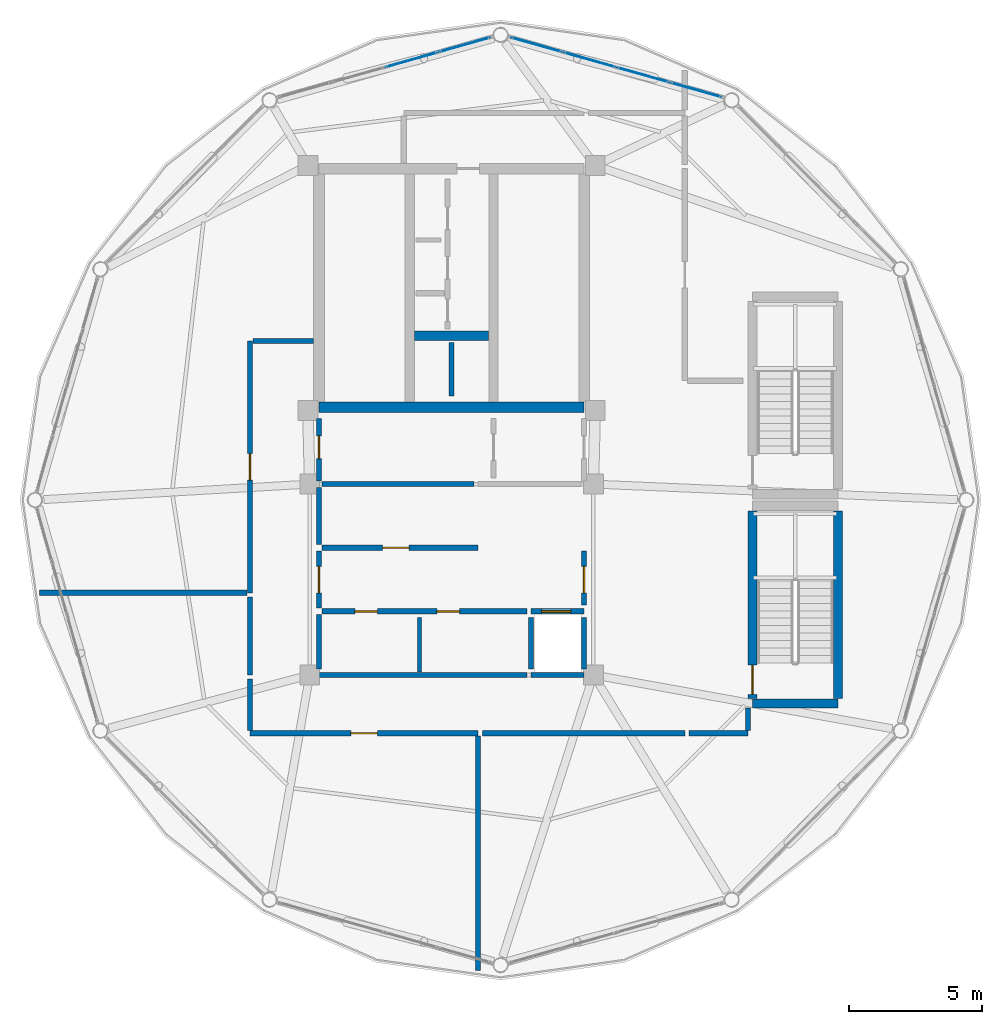
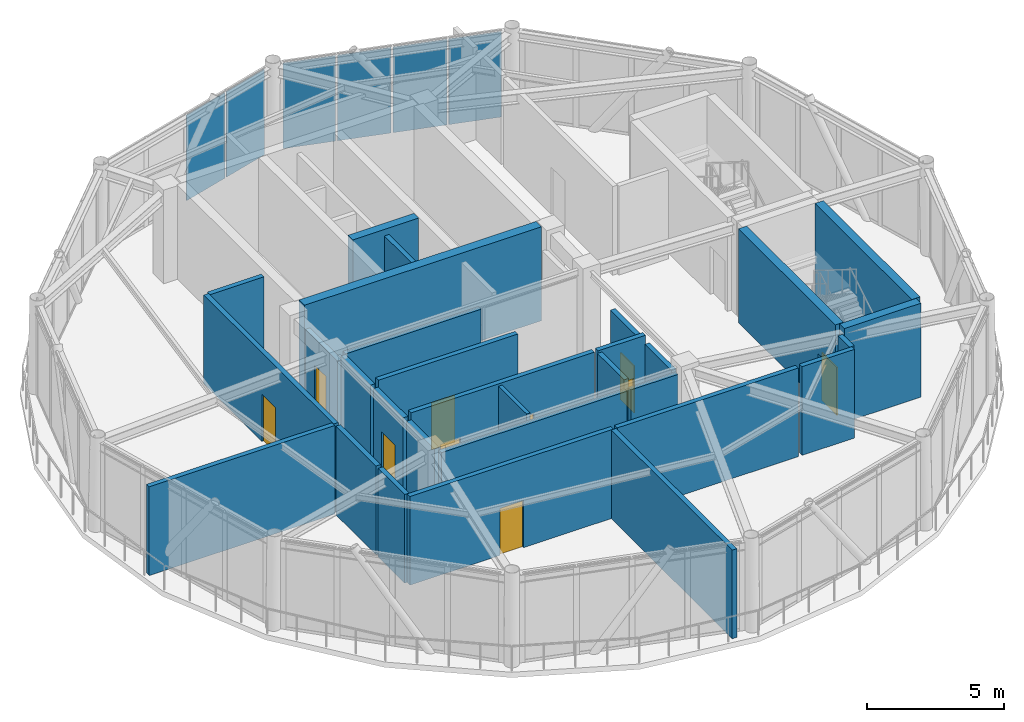
# One storey, part 17 of 21: 30 walls, 10 doors, 6 plates, 10 openings, 2 elements without a shape of their own.
"""IFC4 building model written with IfcOpenShell, lengths in metres."""

from ifc_helpers import new_model, si_unit, direction, frame, frame_2d, origin, origin_2d, place, context, subcontext, project, spatial, rectangle, extrude, source, transform, mapped, material, layer, layer_set, type_object, type_shapes, element, fill, aggregate, save


model = new_model("IFC4")

# Units and contexts
model_context = context("Model", 3, precision=1e-05, world=origin(), true_north=direction((0.0, 1.0)))
body_context = subcontext(model_context, "Body", "Model", "MODEL_VIEW")
ifc_project = project(units=[si_unit("LENGTHUNIT", "METRE"), si_unit("AREAUNIT", "SQUARE_METRE"), si_unit("VOLUMEUNIT", "CUBIC_METRE"), si_unit("PLANEANGLEUNIT", "RADIAN"), si_unit("MASSUNIT", "GRAM", prefix="KILO")], contexts=[model_context])

# Site, building, storey
site_placement = place(None, origin())
site = spatial("IfcSite", under=ifc_project, at=site_placement, CompositionType="ELEMENT")
building_placement = place(site_placement, origin())
building = spatial("IfcBuilding", under=site, at=building_placement, Name="Varnakorn Sky Granary", CompositionType="ELEMENT")
storey_placement = place(building_placement, frame((0.0, 0.0, 298.199951171875)))
storey = spatial("IfcBuildingStorey", under=building, at=storey_placement, Name="L76", CompositionType="ELEMENT", Elevation=298.199951171875)

# Curtain wall, plates
ifc_material_1 = material(Name="Anodised Bronze Aluminium Alloy 6063-T6", Category="aluminium")
ifc_layer_1 = layer(ifc_material_1, 0.22998046875, Name="Anodised Bronze Aluminium Alloy 6063-T6")
ifc_layer_set_1 = layer_set([ifc_layer_1], Name="Anodised Bronze Aluminium Alloy 6063-T6")
curtain_wall_type = type_object("IfcCurtainWallType", Name="CW-LNT-1", PredefinedType="USERDEFINED", material=ifc_layer_set_1)
curtain_wall_1_placement = place(storey_placement, origin())
curtain_wall_1 = element("IfcCurtainWall", 1, at=curtain_wall_1_placement, inside=storey, type_object=curtain_wall_type, Name="Unitised Curtain Wall CW7 CW-L76-B03", ObjectType="CURTAIN WALL", PredefinedType="USERDEFINED")
ifc_material_2 = material(Name="Low-E Tinted Laminated Glass", Category="glass")
ifc_layer_2 = layer(ifc_material_2, 0.035888671875, Name="Low-E Tinted Laminated Glass")
ifc_layer_set_2 = layer_set([ifc_layer_2], Name="Low-E Tinted Laminated Glass")
plate_type = type_object("IfcPlateType", Name="CW-LNT-1-PNL", PredefinedType="CURTAIN_PANEL")
shared_shape_1 = source(origin(), body_context, "Body", "SweptSolid", [
    extrude(rectangle(XDim=1.98388671875, YDim=0.035888671875, at=origin_2d()), origin(), (0.0, 0.0, 1.0), 3.81005859375),
])
plate_1_placement = place(storey_placement, frame((6.203369140625, 17.173828125, 0.074951171875), z_axis=(0.0, 0.0, 1.0), x_axis=(0.962189359084, -0.272381418723, 0.0)))
plate_1 = element("IfcPlate", 2, at=plate_1_placement, type_object=plate_type, material=ifc_layer_set_2, Name="CW7 vision glazing unit 1.1", PredefinedType="CURTAIN_PANEL", context=body_context, shape_type="MappedRepresentation", body=[
    mapped(shared_shape_1, transform((0.0, 0.0, 0.0), x_axis=(1.0, 0.0, 0.0), y_axis=(0.0, 1.0, 0.0), z_axis=(0.0, 0.0, 1.0), scale=1.0)),
])
plate_2_placement = place(storey_placement, frame((12.21875, 15.470947265625, 0.074951171875), z_axis=(0.0, 0.0, 1.0), x_axis=(0.962189359084, -0.272381418723, 0.0)))
plate_2 = element("IfcPlate", 3, at=plate_2_placement, type_object=plate_type, material=ifc_layer_set_2, Name="CW7 vision glazing unit 4.1", PredefinedType="CURTAIN_PANEL", context=body_context, shape_type="MappedRepresentation", body=[
    mapped(shared_shape_1, transform((0.0, 0.0, 0.0), x_axis=(1.0, 0.0, 0.0), y_axis=(0.0, 1.0, 0.0), z_axis=(0.0, 0.0, 1.0), scale=1.0)),
])

# Curtain wall, plate
curtain_wall_2_placement = place(storey_placement, origin())
curtain_wall_2 = element("IfcCurtainWall", 4, at=curtain_wall_2_placement, inside=storey, type_object=curtain_wall_type, Name="Unitised Curtain Wall CW7 CW-L76-B04", ObjectType="CURTAIN WALL", PredefinedType="USERDEFINED")
plate_3_placement = place(storey_placement, frame((3.49658203125, 17.173828125, 0.074951171875), z_axis=(0.0, 0.0, 1.0), x_axis=(0.962189359084, 0.272381418723, 0.0)))
plate_3 = element("IfcPlate", 5, at=plate_3_placement, type_object=plate_type, material=ifc_layer_set_2, Name="CW7 vision glazing unit 4.1", PredefinedType="CURTAIN_PANEL", context=body_context, shape_type="MappedRepresentation", body=[
    mapped(shared_shape_1, transform((0.0, 0.0, 0.0), x_axis=(1.0, 0.0, 0.0), y_axis=(0.0, 1.0, 0.0), z_axis=(0.0, 0.0, 1.0), scale=1.0)),
])

# Plate
ifc_material_3 = material(Name="Opaque Insulated Aluminium Shadow-Box Unit", Category="aluminium")
ifc_layer_3 = layer(ifc_material_3, 0.035888671875, Name="Opaque Insulated Aluminium Shadow-Box Unit")
ifc_layer_set_3 = layer_set([ifc_layer_3], Name="Opaque Insulated Aluminium Shadow-Box Unit")
shared_shape_2 = source(origin(), body_context, "Body", "SweptSolid", [
    extrude(rectangle(XDim=2.021484375, YDim=0.035888671875, at=origin_2d()), origin(), (0.0, 0.0, 1.0), 3.81005859375),
])
type_shapes(plate_type, [shared_shape_1, shared_shape_2])
plate_4_placement = place(storey_placement, frame((8.202392578125, 16.60791015625, 0.074951171875), z_axis=(0.0, 0.0, 1.0), x_axis=(0.962189359084, -0.272381418723, 0.0)))
plate_4 = element("IfcPlate", 6, at=plate_4_placement, type_object=plate_type, material=ifc_layer_set_3, Name="CW7 opaque insulated shadow-box unit 2.1", PredefinedType="CURTAIN_PANEL", context=body_context, shape_type="MappedRepresentation", body=[
    mapped(shared_shape_2, transform((0.0, 0.0, 0.0), x_axis=(1.0, 0.0, 0.0), y_axis=(0.0, 1.0, 0.0), z_axis=(0.0, 0.0, 1.0), scale=1.0)),
])

plate_5_placement = place(storey_placement, frame((10.219482421875, 16.036865234375, 0.074951171875), z_axis=(0.0, 0.0, 1.0), x_axis=(0.962189359084, -0.272381418723, 0.0)))
plate_5 = element("IfcPlate", 7, at=plate_5_placement, type_object=plate_type, material=ifc_layer_set_3, Name="CW7 opaque insulated shadow-box unit 3.1", PredefinedType="CURTAIN_PANEL", context=body_context, shape_type="MappedRepresentation", body=[
    mapped(shared_shape_2, transform((0.0, 0.0, 0.0), x_axis=(1.0, 0.0, 0.0), y_axis=(0.0, 1.0, 0.0), z_axis=(0.0, 0.0, 1.0), scale=1.0)),
])

aggregate(curtain_wall_1, [plate_1, plate_4, plate_5, plate_2])

plate_6_placement = place(storey_placement, frame((1.49755859375, 16.60791015625, 0.074951171875), z_axis=(0.0, 0.0, 1.0), x_axis=(0.962189359084, 0.272381418723, 0.0)))
plate_6 = element("IfcPlate", 8, at=plate_6_placement, type_object=plate_type, material=ifc_layer_set_3, Name="CW7 opaque insulated shadow-box unit 3.1", PredefinedType="CURTAIN_PANEL", context=body_context, shape_type="MappedRepresentation", body=[
    mapped(shared_shape_2, transform((0.0, 0.0, 0.0), x_axis=(1.0, 0.0, 0.0), y_axis=(0.0, 1.0, 0.0), z_axis=(0.0, 0.0, 1.0), scale=1.0)),
])

aggregate(curtain_wall_2, [plate_6, plate_3])

# Wall
ifc_material_4 = material(Name="Concrete C50/60", Category="concrete")
ifc_layer_4 = layer(ifc_material_4, 0.35009765625, Name="Concrete C50/60")
ifc_layer_set_4 = layer_set([ifc_layer_4], Name="Concrete C50/60")
wall_type_1 = type_object("IfcWallType", Name="WT-CW-INT-350", PredefinedType="SHEAR", material=ifc_layer_set_4)
wall_1_placement = place(storey_placement, frame((14.35009765625, -7.679931640625, 0.0), z_axis=(0.0, 0.0, 1.0), x_axis=(1.0, 0.0, 0.0)))
element("IfcWall", 9, at=wall_1_placement, inside=storey, type_object=wall_type_1, Name="Crown Stair STC2 South Wall L76", PredefinedType="SHEAR", context=body_context, shape_type="SweptSolid", body=[
    extrude(rectangle(XDim=3.22998046875, YDim=0.35009765625, at=frame_2d((1.614990234375, 0.0))), origin(), (0.0, 0.0, 1.0), 4.192138671875),
])

# Wall, opening, door
wall_2_placement = place(storey_placement, frame((14.35009765625, -7.489990234375, 0.0), z_axis=(0.0, 0.0, 1.0), x_axis=(0.0, 1.0, 0.0)))
wall_2 = element("IfcWall", 10, at=wall_2_placement, inside=storey, type_object=wall_type_1, Name="Crown Stair STC2 West Wall L76", PredefinedType="SHEAR", context=body_context, shape_type="SweptSolid", body=[
    extrude(rectangle(XDim=7.080078125, YDim=0.35009765625, at=frame_2d((3.5400390625, 0.0))), origin(), (0.0, 0.0, 1.0), 4.192138671875),
])
opening_1_placement = place(wall_2_placement, frame((0.159912109375, 0.0, 0.0)))
opening_1 = element("IfcOpeningElement", 11, at=opening_1_placement, cuts=wall_2, Name="Opening FD-90", PredefinedType="OPENING", context=body_context, shape_type="SweptSolid", body=[
    extrude(rectangle(XDim=1.10009765625, YDim=2.14990234375, at=frame_2d((0.550048828125, 1.074951171875))), frame((0.0, 0.18505859375, 0.0), z_axis=(0.0, -1.0, 0.0), x_axis=(1.0, 0.0, 0.0)), (0.0, 0.0, 1.0), 0.3701171875),
])
ifc_material_5 = material(Name="Galvanised Painted Steel Leaf", Category="steel")
door_type_1 = type_object("IfcDoorType", Name="DR-STAIR-1100", OperationType="NOTDEFINED", PredefinedType="DOOR", material=ifc_material_5)
door_1_placement = place(opening_1_placement, origin())
door_1 = element("IfcDoor", 12, at=door_1_placement, inside=storey, type_object=door_type_1, Name="Crown Stair STC2 Protected Fire Door L76", OperationType="SINGLE_SWING_RIGHT", OverallHeight=2.14990234375, OverallWidth=1.10009765625, PredefinedType="DOOR", context=body_context, shape_type="SweptSolid", body=[
    extrude(rectangle(XDim=1.10009765625, YDim=2.14990234375, at=frame_2d((0.550048828125, 1.074951171875))), frame((0.0, 0.02490234375, 0.0), z_axis=(0.0, -1.0, 0.0), x_axis=(1.0, 0.0, 0.0)), (0.0, 0.0, 1.0), 0.050048828125),
])
fill(opening_1, door_1)

# Walls
wall_3_placement = place(storey_placement, frame((17.580078125, -7.489990234375, 0.0), z_axis=(0.0, 0.0, 1.0), x_axis=(0.0, 1.0, 0.0)))
element("IfcWall", 13, at=wall_3_placement, inside=storey, type_object=wall_type_1, Name="Crown Stair STC2 East Wall L76", PredefinedType="SHEAR", context=body_context, shape_type="SweptSolid", body=[
    extrude(rectangle(XDim=7.080078125, YDim=0.35009765625, at=frame_2d((3.5400390625, 0.0))), origin(), (0.0, 0.0, 1.0), 4.192138671875),
])
wall_4_placement = place(storey_placement, frame((1.610107421875, 6.199951171875, 0.0), z_axis=(0.0, 0.0, 1.0), x_axis=(1.0, 0.0, 0.0)))
element("IfcWall", 14, at=wall_4_placement, inside=storey, type_object=wall_type_1, Name="Core Lift Shaft Cross Wall L76", PredefinedType="SHEAR", context=body_context, shape_type="SweptSolid", body=[
    extrude(rectangle(XDim=2.77978515625, YDim=0.35009765625, at=frame_2d((1.389892578125, 0.0))), origin(), (0.0, 0.0, 1.0), 4.192138671875),
])
ifc_layer_5 = layer(ifc_material_4, 0.39990234375, Name="Concrete C50/60")
ifc_layer_set_5 = layer_set([ifc_layer_5], Name="Concrete C50/60")
wall_type_2 = type_object("IfcWallType", Name="WT-CW-SHEAR-400", PredefinedType="SHEAR", material=ifc_layer_set_5)
wall_5_placement = place(storey_placement, frame((-2.0, 3.5, 0.0), z_axis=(0.0, 0.0, 1.0), x_axis=(1.0, 0.0, 0.0)))
element("IfcWall", 15, at=wall_5_placement, inside=storey, type_object=wall_type_2, Name="Core South Shear Wall L76", PredefinedType="SHEAR", context=body_context, shape_type="SweptSolid", body=[
    extrude(rectangle(XDim=10.0, YDim=0.39990234375, at=frame_2d((5.0, 0.0))), origin(), (0.0, 0.0, 1.0), 4.192138671875),
])

# Wall, opening, door
ifc_material_6 = material(Name="Autoclaved Aerated Concrete Blockwork", Category="masonry")
ifc_layer_6 = layer(ifc_material_6, 0.199951171875, Name="Autoclaved Aerated Concrete Blockwork")
ifc_layer_set_6 = layer_set([ifc_layer_6], Name="Autoclaved Aerated Concrete Blockwork")
wall_type_3 = type_object("IfcWallType", Name="WT-FIRE-200", PredefinedType="MOVABLE", material=ifc_layer_set_6)
wall_6_placement = place(storey_placement, frame((-2.0, 0.719970703125, 0.0), z_axis=(0.0, 0.0, 1.0), x_axis=(0.0, 1.0, 0.0)))
wall_6 = element("IfcWall", 16, at=wall_6_placement, inside=storey, type_object=wall_type_3, Name="Interior Partition Wall L76-010", PredefinedType="MOVABLE", context=body_context, shape_type="SweptSolid", body=[
    extrude(rectangle(XDim=2.35009765625, YDim=0.199951171875, at=frame_2d((1.175048828125, 0.0))), origin(), (0.0, 0.0, 1.0), 3.2919921875),
])
opening_2_placement = place(wall_6_placement, frame((0.844970703125, 0.0, 0.0)))
opening_2 = element("IfcOpeningElement", 17, at=opening_2_placement, cuts=wall_6, Name="Opening FD-60N", PredefinedType="OPENING", context=body_context, shape_type="SweptSolid", body=[
    extrude(rectangle(XDim=0.85009765625, YDim=2.10009765625, at=frame_2d((0.425048828125, 1.050048828125))), frame((0.0, 0.10986328125, 0.0), z_axis=(0.0, -1.0, 0.0), x_axis=(1.0, 0.0, 0.0)), (0.0, 0.0, 1.0), 0.219970703125),
])
ifc_material_7 = material(Name="Acoustic Timber Fire Leaf", Category="wood")
door_type_2 = type_object("IfcDoorType", Name="DR-FD60-850", OperationType="NOTDEFINED", PredefinedType="DOOR", material=ifc_material_7)
door_2_placement = place(opening_2_placement, origin())
door_2 = element("IfcDoor", 18, at=door_2_placement, inside=storey, type_object=door_type_2, Name="Interior Door L76-010-1", OperationType="SINGLE_SWING_RIGHT", OverallHeight=2.10009765625, OverallWidth=0.85009765625, PredefinedType="DOOR", context=body_context, shape_type="SweptSolid", body=[
    extrude(rectangle(XDim=0.85009765625, YDim=2.10009765625, at=frame_2d((0.425048828125, 1.050048828125))), frame((0.0, 0.02490234375, 0.0), z_axis=(0.0, -1.0, 0.0), x_axis=(1.0, 0.0, 0.0)), (0.0, 0.0, 1.0), 0.050048828125),
])
fill(opening_2, door_2)

wall_7_placement = place(storey_placement, frame((-2.0, -4.080078125, 0.0), z_axis=(0.0, 0.0, 1.0), x_axis=(0.0, 1.0, 0.0)))
wall_7 = element("IfcWall", 19, at=wall_7_placement, inside=storey, type_object=wall_type_3, Name="Interior Partition Wall L76-012", PredefinedType="MOVABLE", context=body_context, shape_type="SweptSolid", body=[
    extrude(rectangle(XDim=2.16015625, YDim=0.199951171875, at=frame_2d((1.080078125, 0.0))), origin(), (0.0, 0.0, 1.0), 3.672119140625),
])
opening_3_placement = place(wall_7_placement, frame((0.580078125, 0.0, 0.0)))
opening_3 = element("IfcOpeningElement", 20, at=opening_3_placement, cuts=wall_7, Name="Opening FD-60", PredefinedType="OPENING", context=body_context, shape_type="SweptSolid", body=[
    extrude(rectangle(XDim=1.0, YDim=2.10009765625, at=frame_2d((0.5, 1.050048828125))), frame((0.0, 0.10986328125, 0.0), z_axis=(0.0, -1.0, 0.0), x_axis=(1.0, 0.0, 0.0)), (0.0, 0.0, 1.0), 0.219970703125),
])
door_type_3 = type_object("IfcDoorType", Name="DR-FD60-1000", OperationType="NOTDEFINED", PredefinedType="DOOR", material=ifc_material_7)
door_3_placement = place(opening_3_placement, origin())
door_3 = element("IfcDoor", 21, at=door_3_placement, inside=storey, type_object=door_type_3, Name="Interior Door L76-012-1", OperationType="SINGLE_SWING_RIGHT", OverallHeight=2.10009765625, OverallWidth=1.0, PredefinedType="DOOR", context=body_context, shape_type="SweptSolid", body=[
    extrude(rectangle(XDim=1.0, YDim=2.10009765625, at=frame_2d((0.5, 1.050048828125))), frame((0.0, 0.02490234375, 0.0), z_axis=(0.0, -1.0, 0.0), x_axis=(1.0, 0.0, 0.0)), (0.0, 0.0, 1.0), 0.050048828125),
])
fill(opening_3, door_3)

wall_8_placement = place(storey_placement, frame((8.0, -3.969970703125, 0.0), z_axis=(0.0, 0.0, 1.0), x_axis=(0.0, 1.0, 0.0)))
wall_8 = element("IfcWall", 22, at=wall_8_placement, inside=storey, type_object=wall_type_3, Name="Interior Partition Wall L76-013", PredefinedType="MOVABLE", context=body_context, shape_type="SweptSolid", body=[
    extrude(rectangle(XDim=2.050048828125, YDim=0.199951171875, at=frame_2d((1.02490234375, 0.0))), origin(), (0.0, 0.0, 1.0), 3.672119140625),
])
opening_4_placement = place(wall_8_placement, frame((0.469970703125, 0.0, 0.0)))
opening_4 = element("IfcOpeningElement", 23, at=opening_4_placement, cuts=wall_8, Name="Opening FD-60", PredefinedType="OPENING", context=body_context, shape_type="SweptSolid", body=[
    extrude(rectangle(XDim=1.0, YDim=2.10009765625, at=frame_2d((0.5, 1.050048828125))), frame((0.0, 0.10986328125, 0.0), z_axis=(0.0, -1.0, 0.0), x_axis=(1.0, 0.0, 0.0)), (0.0, 0.0, 1.0), 0.219970703125),
])
door_4_placement = place(opening_4_placement, origin())
door_4 = element("IfcDoor", 24, at=door_4_placement, inside=storey, type_object=door_type_3, Name="Interior Door L76-013-1", OperationType="SINGLE_SWING_LEFT", OverallHeight=2.10009765625, OverallWidth=1.0, PredefinedType="DOOR", context=body_context, shape_type="SweptSolid", body=[
    extrude(rectangle(XDim=1.0, YDim=2.10009765625, at=frame_2d((0.5, 1.050048828125))), frame((0.0, 0.02490234375, 0.0), z_axis=(0.0, -1.0, 0.0), x_axis=(1.0, 0.0, 0.0)), (0.0, 0.0, 1.0), 0.050048828125),
])
fill(opening_4, door_4)

wall_9_placement = place(storey_placement, frame((-1.889892578125, -1.800048828125, 0.0), z_axis=(0.0, 0.0, 1.0), x_axis=(1.0, 0.0, 0.0)))
wall_9 = element("IfcWall", 25, at=wall_9_placement, inside=storey, type_object=wall_type_3, Name="Interior Partition Wall L76-014", PredefinedType="MOVABLE", context=body_context, shape_type="SweptSolid", body=[
    extrude(rectangle(XDim=5.889892578125, YDim=0.199951171875, at=frame_2d((2.94482421875, 0.0))), origin(), (0.0, 0.0, 1.0), 3.9599609375),
])
opening_5_placement = place(wall_9_placement, frame((2.2900390625, 0.0, 0.0)))
opening_5 = element("IfcOpeningElement", 26, at=opening_5_placement, cuts=wall_9, Name="Opening FD-60", PredefinedType="OPENING", context=body_context, shape_type="SweptSolid", body=[
    extrude(rectangle(XDim=1.0, YDim=2.10009765625, at=frame_2d((0.5, 1.050048828125))), frame((0.0, 0.10986328125, 0.0), z_axis=(0.0, -1.0, 0.0), x_axis=(1.0, 0.0, 0.0)), (0.0, 0.0, 1.0), 0.219970703125),
])
door_5_placement = place(opening_5_placement, origin())
door_5 = element("IfcDoor", 27, at=door_5_placement, inside=storey, type_object=door_type_3, Name="Interior Door L76-014-1", OperationType="SINGLE_SWING_RIGHT", OverallHeight=2.10009765625, OverallWidth=1.0, PredefinedType="DOOR", context=body_context, shape_type="SweptSolid", body=[
    extrude(rectangle(XDim=1.0, YDim=2.10009765625, at=frame_2d((0.5, 1.050048828125))), frame((0.0, 0.02490234375, 0.0), z_axis=(0.0, -1.0, 0.0), x_axis=(1.0, 0.0, 0.0)), (0.0, 0.0, 1.0), 0.050048828125),
])
fill(opening_5, door_5)

# Wall, openings, doors
wall_10_placement = place(storey_placement, frame((-1.889892578125, -4.199951171875, 0.0), z_axis=(0.0, 0.0, 1.0), x_axis=(1.0, 0.0, 0.0)))
wall_10 = element("IfcWall", 28, at=wall_10_placement, inside=storey, type_object=wall_type_3, Name="Interior Partition Wall L76-015", PredefinedType="MOVABLE", context=body_context, shape_type="SweptSolid", body=[
    extrude(rectangle(XDim=7.72998046875, YDim=0.199951171875, at=frame_2d((3.864990234375, 0.0))), origin(), (0.0, 0.0, 1.0), 3.9599609375),
])
opening_6_placement = place(wall_10_placement, frame((1.239990234375, 0.0, 0.0)))
opening_6 = element("IfcOpeningElement", 29, at=opening_6_placement, cuts=wall_10, Name="Opening FD-60N", PredefinedType="OPENING", context=body_context, shape_type="SweptSolid", body=[
    extrude(rectangle(XDim=0.85009765625, YDim=2.10009765625, at=frame_2d((0.425048828125, 1.050048828125))), frame((0.0, 0.10986328125, 0.0), z_axis=(0.0, -1.0, 0.0), x_axis=(1.0, 0.0, 0.0)), (0.0, 0.0, 1.0), 0.219970703125),
])
opening_7_placement = place(wall_10_placement, frame((4.340087890625, 0.0, 0.0)))
opening_7 = element("IfcOpeningElement", 30, at=opening_7_placement, cuts=wall_10, Name="Opening FD-60N", PredefinedType="OPENING", context=body_context, shape_type="SweptSolid", body=[
    extrude(rectangle(XDim=0.85009765625, YDim=2.10009765625, at=frame_2d((0.425048828125, 1.050048828125))), frame((0.0, 0.10986328125, 0.0), z_axis=(0.0, -1.0, 0.0), x_axis=(1.0, 0.0, 0.0)), (0.0, 0.0, 1.0), 0.219970703125),
])
door_6_placement = place(opening_6_placement, origin())
door_6 = element("IfcDoor", 31, at=door_6_placement, inside=storey, type_object=door_type_2, Name="Interior Door L76-015-1", OperationType="SINGLE_SWING_LEFT", OverallHeight=2.10009765625, OverallWidth=0.85009765625, PredefinedType="DOOR", context=body_context, shape_type="SweptSolid", body=[
    extrude(rectangle(XDim=0.85009765625, YDim=2.10009765625, at=frame_2d((0.425048828125, 1.050048828125))), frame((0.0, 0.02490234375, 0.0), z_axis=(0.0, -1.0, 0.0), x_axis=(1.0, 0.0, 0.0)), (0.0, 0.0, 1.0), 0.050048828125),
])
fill(opening_6, door_6)
door_7_placement = place(opening_7_placement, origin())
door_7 = element("IfcDoor", 32, at=door_7_placement, inside=storey, type_object=door_type_2, Name="Interior Door L76-015-2", OperationType="SINGLE_SWING_RIGHT", OverallHeight=2.10009765625, OverallWidth=0.85009765625, PredefinedType="DOOR", context=body_context, shape_type="SweptSolid", body=[
    extrude(rectangle(XDim=0.85009765625, YDim=2.10009765625, at=frame_2d((0.425048828125, 1.050048828125))), frame((0.0, 0.02490234375, 0.0), z_axis=(0.0, -1.0, 0.0), x_axis=(1.0, 0.0, 0.0)), (0.0, 0.0, 1.0), 0.050048828125),
])
fill(opening_7, door_7)

# Wall, opening, door
wall_11_placement = place(storey_placement, frame((-4.60009765625, 6.0, 0.0), z_axis=(0.0, 0.0, 1.0), x_axis=(0.0, -1.0, 0.0)))
wall_11 = element("IfcWall", 33, at=wall_11_placement, inside=storey, type_object=wall_type_3, Name="Interior Partition Wall L76-016", PredefinedType="MOVABLE", context=body_context, shape_type="SweptSolid", body=[
    extrude(rectangle(XDim=9.5, YDim=0.199951171875, at=frame_2d((4.75, 0.0))), origin(), (0.0, 0.0, 1.0), 3.9599609375),
])
opening_8_placement = place(wall_11_placement, frame((4.25, 0.0, 0.0)))
opening_8 = element("IfcOpeningElement", 34, at=opening_8_placement, cuts=wall_11, Name="Opening FD-60", PredefinedType="OPENING", context=body_context, shape_type="SweptSolid", body=[
    extrude(rectangle(XDim=1.0, YDim=2.10009765625, at=frame_2d((0.5, 1.050048828125))), frame((0.0, 0.10986328125, 0.0), z_axis=(0.0, -1.0, 0.0), x_axis=(1.0, 0.0, 0.0)), (0.0, 0.0, 1.0), 0.219970703125),
])
door_8_placement = place(opening_8_placement, origin())
door_8 = element("IfcDoor", 35, at=door_8_placement, inside=storey, type_object=door_type_3, Name="Interior Door L76-016-1", OperationType="SINGLE_SWING_LEFT", OverallHeight=2.10009765625, OverallWidth=1.0, PredefinedType="DOOR", context=body_context, shape_type="SweptSolid", body=[
    extrude(rectangle(XDim=1.0, YDim=2.10009765625, at=frame_2d((0.5, 1.050048828125))), frame((0.0, 0.02490234375, 0.0), z_axis=(0.0, -1.0, 0.0), x_axis=(1.0, 0.0, 0.0)), (0.0, 0.0, 1.0), 0.050048828125),
])
fill(opening_8, door_8)

wall_12_placement = place(storey_placement, frame((-4.60009765625, -8.800048828125, 0.0), z_axis=(0.0, 0.0, 1.0), x_axis=(1.0, 0.0, 0.0)))
wall_12 = element("IfcWall", 36, at=wall_12_placement, inside=storey, type_object=wall_type_3, Name="Interior Partition Wall L76-017", PredefinedType="MOVABLE", context=body_context, shape_type="SweptSolid", body=[
    extrude(rectangle(XDim=8.60009765625, YDim=0.199951171875, at=frame_2d((4.300048828125, 0.0))), origin(), (0.0, 0.0, 1.0), 3.9599609375),
])
opening_9_placement = place(wall_12_placement, frame((3.800048828125, 0.0, 0.0)))
opening_9 = element("IfcOpeningElement", 37, at=opening_9_placement, cuts=wall_12, Name="Opening FD-60", PredefinedType="OPENING", context=body_context, shape_type="SweptSolid", body=[
    extrude(rectangle(XDim=1.0, YDim=2.10009765625, at=frame_2d((0.5, 1.050048828125))), frame((0.0, 0.10986328125, 0.0), z_axis=(0.0, -1.0, 0.0), x_axis=(1.0, 0.0, 0.0)), (0.0, 0.0, 1.0), 0.219970703125),
])
door_9_placement = place(opening_9_placement, origin())
door_9 = element("IfcDoor", 38, at=door_9_placement, inside=storey, type_object=door_type_3, Name="Interior Door L76-017-1", OperationType="SINGLE_SWING_RIGHT", OverallHeight=2.10009765625, OverallWidth=1.0, PredefinedType="DOOR", context=body_context, shape_type="SweptSolid", body=[
    extrude(rectangle(XDim=1.0, YDim=2.10009765625, at=frame_2d((0.5, 1.050048828125))), frame((0.0, 0.02490234375, 0.0), z_axis=(0.0, -1.0, 0.0), x_axis=(1.0, 0.0, 0.0)), (0.0, 0.0, 1.0), 0.050048828125),
])
fill(opening_9, door_9)

# Walls
wall_13_placement = place(storey_placement, frame((-1.8798828125, 0.60009765625, 0.0), z_axis=(0.0, 0.0, 1.0), x_axis=(1.0, 0.0, 0.0)))
element("IfcWall", 39, at=wall_13_placement, inside=storey, type_object=wall_type_3, Name="Interior Partition Wall L76-020", PredefinedType="MOVABLE", context=body_context, shape_type="SweptSolid", body=[
    extrude(rectangle(XDim=5.719970703125, YDim=0.199951171875, at=frame_2d((2.85986328125, 0.0))), origin(), (0.0, 0.0, 1.0), 3.672119140625),
])
wall_14_placement = place(storey_placement, frame((-2.0, -1.679931640625, 0.0), z_axis=(0.0, 0.0, 1.0), x_axis=(0.0, 1.0, 0.0)))
element("IfcWall", 40, at=wall_14_placement, inside=storey, type_object=wall_type_3, Name="Interior Partition Wall L76-021", PredefinedType="MOVABLE", context=body_context, shape_type="SweptSolid", body=[
    extrude(rectangle(XDim=2.159912109375, YDim=0.199951171875, at=frame_2d((1.080078125, 0.0))), origin(), (0.0, 0.0, 1.0), 3.672119140625),
])
wall_15_placement = place(storey_placement, frame((-2.0, -6.60009765625, 0.0), z_axis=(0.0, 0.0, 1.0), x_axis=(1.0, 0.0, 0.0)))
element("IfcWall", 41, at=wall_15_placement, inside=storey, type_object=wall_type_3, Name="Interior Partition Wall L76-023", PredefinedType="MOVABLE", context=body_context, shape_type="SweptSolid", body=[
    extrude(rectangle(XDim=7.840087890625, YDim=0.199951171875, at=frame_2d((3.919921875, 0.0))), origin(), (0.0, 0.0, 1.0), 3.672119140625),
])
wall_16_placement = place(storey_placement, frame((-2.0, -6.3701171875, 0.0), z_axis=(0.0, 0.0, 1.0), x_axis=(0.0, 1.0, 0.0)))
element("IfcWall", 42, at=wall_16_placement, inside=storey, type_object=wall_type_3, Name="Interior Partition Wall L76-024", PredefinedType="MOVABLE", context=body_context, shape_type="SweptSolid", body=[
    extrude(rectangle(XDim=2.050048828125, YDim=0.199951171875, at=frame_2d((1.02490234375, 0.0))), origin(), (0.0, 0.0, 1.0), 3.672119140625),
])
wall_17_placement = place(storey_placement, frame((-2.2099609375, 6.0, 0.0), z_axis=(0.0, 0.0, 1.0), x_axis=(-1.0, 0.0, 0.0)))
element("IfcWall", 43, at=wall_17_placement, inside=storey, type_object=wall_type_3, Name="Interior Partition Wall L76-027", PredefinedType="MOVABLE", context=body_context, shape_type="SweptSolid", body=[
    extrude(rectangle(XDim=2.280029296875, YDim=0.199951171875, at=frame_2d((1.14013671875, 0.0))), origin(), (0.0, 0.0, 1.0), 3.9599609375),
])
wall_18_placement = place(storey_placement, frame((-4.60009765625, -3.659912109375, 0.0), z_axis=(0.0, 0.0, 1.0), x_axis=(0.0, -1.0, 0.0)))
element("IfcWall", 44, at=wall_18_placement, inside=storey, type_object=wall_type_3, Name="Interior Partition Wall L76-029", PredefinedType="MOVABLE", context=body_context, shape_type="SweptSolid", body=[
    extrude(rectangle(XDim=2.940185546875, YDim=0.199951171875, at=frame_2d((1.47021484375, 0.0))), origin(), (0.0, 0.0, 1.0), 3.9599609375),
])
wall_19_placement = place(storey_placement, frame((-4.60009765625, -6.760009765625, 0.0), z_axis=(0.0, 0.0, 1.0), x_axis=(0.0, -1.0, 0.0)))
element("IfcWall", 45, at=wall_19_placement, inside=storey, type_object=wall_type_3, Name="Interior Partition Wall L76-030", PredefinedType="MOVABLE", context=body_context, shape_type="SweptSolid", body=[
    extrude(rectangle(XDim=1.929931640625, YDim=0.199951171875, at=frame_2d((0.96484375, 0.0))), origin(), (0.0, 0.0, 1.0), 3.9599609375),
])
wall_20_placement = place(storey_placement, frame((4.159912109375, -8.800048828125, 0.0), z_axis=(0.0, 0.0, 1.0), x_axis=(1.0, 0.0, 0.0)))
element("IfcWall", 46, at=wall_20_placement, inside=storey, type_object=wall_type_3, Name="Interior Partition Wall L76-031", PredefinedType="MOVABLE", context=body_context, shape_type="SweptSolid", body=[
    extrude(rectangle(XDim=7.64013671875, YDim=0.199951171875, at=frame_2d((3.820068359375, 0.0))), origin(), (0.0, 0.0, 1.0), 3.9599609375),
])
wall_21_placement = place(storey_placement, frame((11.9599609375, -8.800048828125, 0.0), z_axis=(0.0, 0.0, 1.0), x_axis=(1.0, 0.0, 0.0)))
element("IfcWall", 47, at=wall_21_placement, inside=storey, type_object=wall_type_3, Name="Interior Partition Wall L76-032", PredefinedType="MOVABLE", context=body_context, shape_type="SweptSolid", body=[
    extrude(rectangle(XDim=2.219970703125, YDim=0.199951171875, at=frame_2d((1.10986328125, 0.0))), origin(), (0.0, 0.0, 1.0), 3.9599609375),
])
wall_22_placement = place(storey_placement, frame((14.179931640625, -8.68994140625, 0.0), z_axis=(0.0, 0.0, 1.0), x_axis=(0.0, 1.0, 0.0)))
element("IfcWall", 48, at=wall_22_placement, inside=storey, type_object=wall_type_3, Name="Interior Partition Wall L76-035", PredefinedType="MOVABLE", context=body_context, shape_type="SweptSolid", body=[
    extrude(rectangle(XDim=0.83984375, YDim=0.199951171875, at=frame_2d((0.419921875, 0.0))), origin(), (0.0, 0.0, 1.0), 3.9599609375),
])
wall_23_placement = place(storey_placement, frame((-4.7099609375, -3.5, 0.0), z_axis=(0.0, 0.0, 1.0), x_axis=(-1.0, 0.0, 0.0)))
element("IfcWall", 49, at=wall_23_placement, inside=storey, type_object=wall_type_3, Name="Interior Partition Wall L76-036", PredefinedType="MOVABLE", context=body_context, shape_type="SweptSolid", body=[
    extrude(rectangle(XDim=7.833984375, YDim=0.199951171875, at=frame_2d((3.9169921875, 0.0))), origin(), (0.0, 0.0, 1.0), 3.9599609375),
])
wall_24_placement = place(storey_placement, frame((4.0, -8.909912109375, 0.0), z_axis=(0.0, 0.0, 1.0), x_axis=(0.0, -1.0, 0.0)))
element("IfcWall", 50, at=wall_24_placement, inside=storey, type_object=wall_type_3, Name="Interior Partition Wall L76-038", PredefinedType="MOVABLE", context=body_context, shape_type="SweptSolid", body=[
    extrude(rectangle(XDim=8.837158203125, YDim=0.199951171875, at=frame_2d((4.41845703125, 0.0))), origin(), (0.0, 0.0, 1.0), 3.9599609375),
])
ifc_material_8 = material(Name="Gypsum Plasterboard on Steel Stud", Category="steel")
ifc_layer_7 = layer(ifc_material_8, 0.14990234375, Name="Gypsum Plasterboard on Steel Stud")
ifc_layer_set_7 = layer_set([ifc_layer_7], Name="Gypsum Plasterboard on Steel Stud")
wall_type_4 = type_object("IfcWallType", Name="WT-PART-150", PredefinedType="PARTITIONING", material=ifc_layer_set_7)
wall_25_placement = place(storey_placement, frame((1.800048828125, -6.47998046875, 0.0), z_axis=(0.0, 0.0, 1.0), x_axis=(0.0, 1.0, 0.0)))
element("IfcWall", 51, at=wall_25_placement, inside=storey, type_object=wall_type_4, Name="Interior Partition Wall L76-022", PredefinedType="PARTITIONING", context=body_context, shape_type="SweptSolid", body=[
    extrude(rectangle(XDim=2.050048828125, YDim=0.14990234375, at=frame_2d((1.02490234375, 0.0))), origin(), (0.0, 0.0, 1.0), 3.9599609375),
])
ifc_layer_8 = layer(ifc_material_6, 0.199951171875, Name="Autoclaved Aerated Concrete Blockwork")
ifc_layer_set_8 = layer_set([ifc_layer_8], Name="Autoclaved Aerated Concrete Blockwork")
wall_type_5 = type_object("IfcWallType", Name="WT-SHAFT-200", PredefinedType="SOLIDWALL", material=ifc_layer_set_8)
wall_26_placement = place(storey_placement, frame((3.0, 3.919921875, 0.0), z_axis=(0.0, 0.0, 1.0), x_axis=(0.0, 1.0, 0.0)))
element("IfcWall", 52, at=wall_26_placement, inside=storey, type_object=wall_type_5, Name="Interior Partition Wall L76-001", PredefinedType="SOLIDWALL", context=body_context, shape_type="SweptSolid", body=[
    extrude(rectangle(XDim=2.030029296875, YDim=0.199951171875, at=frame_2d((1.01513671875, 0.0))), origin(), (0.0, 0.0, 1.0), 3.9599609375),
])

# Wall, opening, door
wall_27_placement = place(storey_placement, frame((6.0, -4.199951171875, 0.0), z_axis=(0.0, 0.0, 1.0), x_axis=(1.0, 0.0, 0.0)))
wall_27 = element("IfcWall", 53, at=wall_27_placement, inside=storey, type_object=wall_type_5, Name="Interior Partition Wall L76-004", PredefinedType="SOLIDWALL", context=body_context, shape_type="SweptSolid", body=[
    extrude(rectangle(XDim=2.0, YDim=0.199951171875, at=frame_2d((1.0, 0.0))), origin(), (0.0, 0.0, 1.0), 3.9599609375),
])
opening_10_placement = place(wall_27_placement, frame((0.39990234375, 0.0, 0.0)))
opening_10 = element("IfcOpeningElement", 54, at=opening_10_placement, cuts=wall_27, Name="Opening LD-01", PredefinedType="OPENING", context=body_context, shape_type="SweptSolid", body=[
    extrude(rectangle(XDim=1.10009765625, YDim=2.199951171875, at=frame_2d((0.550048828125, 1.10009765625))), frame((0.0, 0.10986328125, 0.0), z_axis=(0.0, -1.0, 0.0), x_axis=(1.0, 0.0, 0.0)), (0.0, 0.0, 1.0), 0.219970703125),
])
ifc_material_9 = material(Name="Brushed Bronze Stainless Steel", Category="steel")
door_type_4 = type_object("IfcDoorType", Name="DR-LD-1100", OperationType="DOUBLE_DOOR_SLIDING", PredefinedType="DOOR", material=ifc_material_9)
door_10_placement = place(opening_10_placement, origin())
door_10 = element("IfcDoor", 55, at=door_10_placement, inside=storey, type_object=door_type_4, Name="Passenger Lift PL-H2 Sliding Landing Door L76", OperationType="DOUBLE_DOOR_SLIDING", OverallHeight=2.199951171875, OverallWidth=1.10009765625, PredefinedType="DOOR", context=body_context, shape_type="SweptSolid", body=[
    extrude(rectangle(XDim=1.10009765625, YDim=2.199951171875, at=frame_2d((0.550048828125, 1.10009765625))), frame((0.0, 0.02490234375, 0.0), z_axis=(0.0, -1.0, 0.0), x_axis=(1.0, 0.0, 0.0)), (0.0, 0.0, 1.0), 0.050048828125),
])
fill(opening_10, door_10)

# Walls
wall_28_placement = place(storey_placement, frame((6.0, -6.60009765625, 0.0), z_axis=(0.0, 0.0, 1.0), x_axis=(1.0, 0.0, 0.0)))
element("IfcWall", 56, at=wall_28_placement, inside=storey, type_object=wall_type_5, Name="Interior Partition Wall L76-005", PredefinedType="SOLIDWALL", context=body_context, shape_type="SweptSolid", body=[
    extrude(rectangle(XDim=2.0, YDim=0.199951171875, at=frame_2d((1.0, 0.0))), origin(), (0.0, 0.0, 1.0), 3.672119140625),
])
wall_29_placement = place(storey_placement, frame((6.0, -6.3701171875, 0.0), z_axis=(0.0, 0.0, 1.0), x_axis=(0.0, 1.0, 0.0)))
element("IfcWall", 57, at=wall_29_placement, inside=storey, type_object=wall_type_5, Name="Interior Partition Wall L76-006", PredefinedType="SOLIDWALL", context=body_context, shape_type="SweptSolid", body=[
    extrude(rectangle(XDim=1.940185546875, YDim=0.199951171875, at=frame_2d((0.97021484375, 0.0))), origin(), (0.0, 0.0, 1.0), 3.9599609375),
])
wall_30_placement = place(storey_placement, frame((8.0, -6.3701171875, 0.0), z_axis=(0.0, 0.0, 1.0), x_axis=(0.0, 1.0, 0.0)))
element("IfcWall", 58, at=wall_30_placement, inside=storey, type_object=wall_type_5, Name="Interior Partition Wall L76-007", PredefinedType="SOLIDWALL", context=body_context, shape_type="SweptSolid", body=[
    extrude(rectangle(XDim=1.940185546875, YDim=0.199951171875, at=frame_2d((0.97021484375, 0.0))), origin(), (0.0, 0.0, 1.0), 3.672119140625),
])

save(model, "model.ifc")
